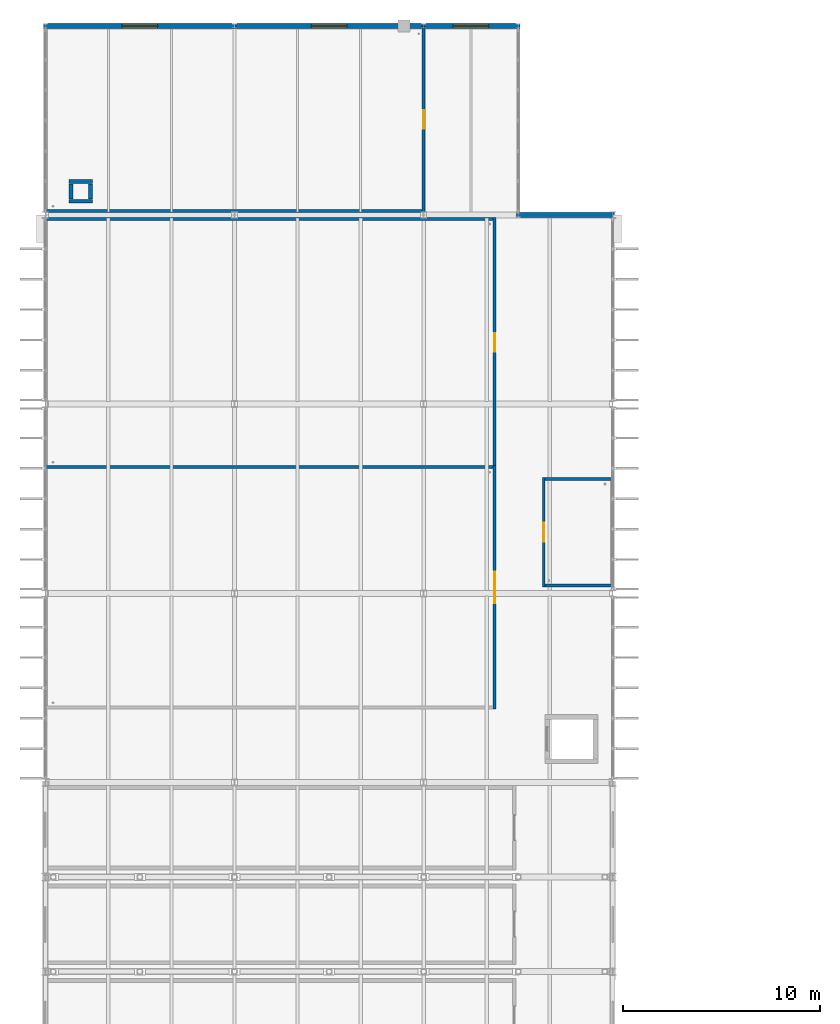
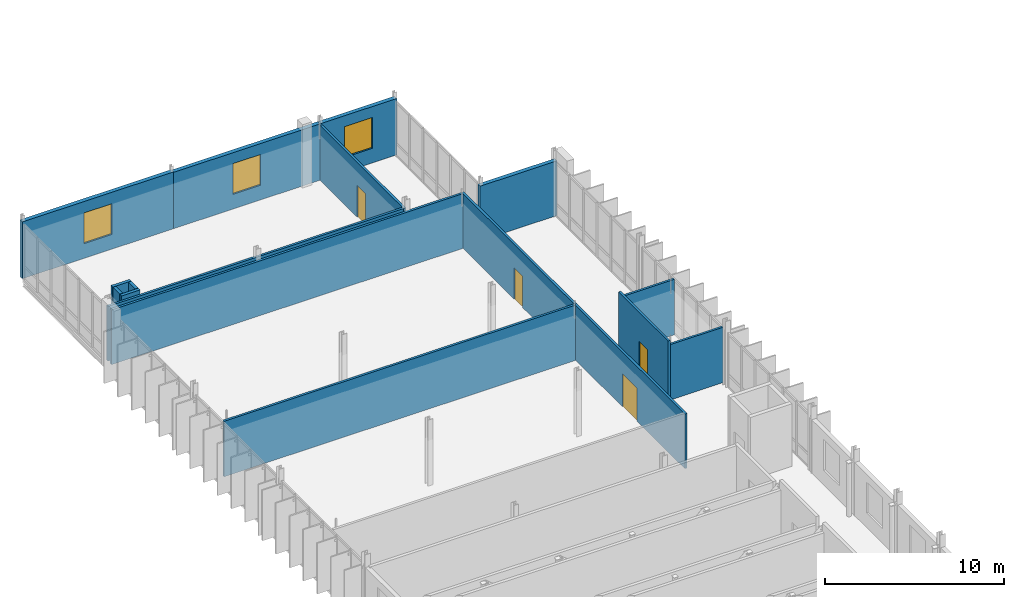
# One storey, part 66 of 110: 17 walls, 4 doors, 3 windows, 7 openings.
"""IFC4 building model written with IfcOpenShell, lengths in metres."""

from ifc_helpers import new_model, si_unit, direction, frame, frame_2d, origin, place, context, subcontext, project, spatial, rectangle, extrude, material, layer, layer_set, type_object, element, fill, save


model = new_model("IFC4")

# Units and contexts
model_context = context("Model", 3, precision=1e-05, world=origin(), true_north=direction((0.0, 1.0)))
body_context = subcontext(model_context, "Body", "Model", "MODEL_VIEW")
ifc_project = project(units=[si_unit("LENGTHUNIT", "METRE"), si_unit("AREAUNIT", "SQUARE_METRE"), si_unit("VOLUMEUNIT", "CUBIC_METRE"), si_unit("PLANEANGLEUNIT", "RADIAN"), si_unit("MASSUNIT", "GRAM", prefix="KILO")], contexts=[model_context])

# Site, building, storey
site_placement = place(None, origin())
site = spatial("IfcSite", under=ifc_project, at=site_placement, CompositionType="ELEMENT")
building_placement = place(site_placement, origin())
building = spatial("IfcBuilding", under=site, at=building_placement, Name="Dunescarp Central Library", CompositionType="ELEMENT")
storey_placement = place(building_placement, frame((0.0, 0.0, 9.60009765625)))
storey = spatial("IfcBuildingStorey", under=building, at=storey_placement, Name="L02", CompositionType="ELEMENT", Elevation=9.60009765625)

# Wall
ifc_material_1 = material(Name="Gypsum plasterboard acoustic partition")
ifc_layer_1 = layer(ifc_material_1, 0.14990234375)
ifc_layer_set_1 = layer_set([ifc_layer_1], Name="Gypsum plasterboard acoustic partition")
wall_type_1 = type_object("IfcWallType", Name="ARC-PT-AC150", PredefinedType="PARTITIONING", material=ifc_layer_set_1)
wall_1_placement = place(storey_placement, frame((0.0400390625, 76.800048828125, 0.0), z_axis=(0.0, 0.0, 1.0), x_axis=(1.0, 0.0, 0.0)))
element("IfcWall", 1, at=wall_1_placement, inside=storey, type_object=wall_type_1, Name="L02 partition PT-L02-0363", PredefinedType="PARTITIONING", context=body_context, shape_type="SweptSolid", body=[
    extrude(rectangle(XDim=22.68505859375, YDim=0.14990234375, at=frame_2d((11.342529296875, 0.0))), origin(), (0.0, 0.0, 1.0), 3.781982421875),
])

# Wall, opening, door
wall_2_placement = place(storey_placement, frame((22.800048828125, 64.52490234375, 0.0), z_axis=(0.0, 0.0, 1.0), x_axis=(0.0, 1.0, 0.0)))
wall_2 = element("IfcWall", 2, at=wall_2_placement, inside=storey, type_object=wall_type_1, Name="L02 partition PT-L02-0364", PredefinedType="PARTITIONING", context=body_context, shape_type="SweptSolid", body=[
    extrude(rectangle(XDim=12.35009765625, YDim=0.14990234375, at=frame_2d((6.175048828125, 0.0))), origin(), (0.0, 0.0, 1.0), 3.73486328125),
])
opening_1_placement = place(wall_2_placement, frame((5.375, 0.0, 0.0)))
opening_1 = element("IfcOpeningElement", 3, at=opening_1_placement, cuts=wall_2, Name="Opening DR-L02-0155", PredefinedType="OPENING", context=body_context, shape_type="SweptSolid", body=[
    extrude(rectangle(XDim=1.60009765625, YDim=2.25, at=frame_2d((0.800048828125, 1.125))), frame((0.0, 0.0849609375, 0.0), z_axis=(0.0, -1.0, 0.0), x_axis=(1.0, 0.0, 0.0)), (0.0, 0.0, 1.0), 0.169921875),
])
ifc_material_2 = material(Name="Marine-grade anodised aluminium 6063-T6", Category="aluminium")
door_type_1 = type_object("IfcDoorType", Name="ARC-DR-DBL1600", OperationType="DOUBLE_DOOR_SINGLE_SWING", PredefinedType="DOOR", material=ifc_material_2)
door_1_placement = place(opening_1_placement, origin())
door_1 = element("IfcDoor", 4, at=door_1_placement, inside=storey, type_object=door_type_1, Name="L02 interior door DR-L02-0155", OperationType="DOUBLE_DOOR_SINGLE_SWING", OverallHeight=2.25, OverallWidth=1.60009765625, PredefinedType="DOOR", context=body_context, shape_type="SweptSolid", body=[
    extrude(rectangle(XDim=1.60009765625, YDim=2.25, at=frame_2d((0.800048828125, 1.125))), frame((0.0, 0.02490234375, 0.0), z_axis=(0.0, -1.0, 0.0), x_axis=(1.0, 0.0, 0.0)), (0.0, 0.0, 1.0), 0.050048828125),
])
fill(opening_1, door_1)

# Wall
wall_3_placement = place(storey_placement, frame((0.0400390625, 89.39990234375, 0.0), z_axis=(0.0, 0.0, 1.0), x_axis=(1.0, 0.0, 0.0)))
element("IfcWall", 5, at=wall_3_placement, inside=storey, type_object=wall_type_1, Name="L02 partition PT-L02-0365", PredefinedType="PARTITIONING", context=body_context, shape_type="SweptSolid", body=[
    extrude(rectangle(XDim=22.68505859375, YDim=0.14990234375, at=frame_2d((11.342529296875, 0.0))), origin(), (0.0, 0.0, 1.0), 3.73486328125),
])

# Wall, opening, door
wall_4_placement = place(storey_placement, frame((22.800048828125, 76.800048828125, 0.0), z_axis=(0.0, 0.0, 1.0), x_axis=(0.0, 1.0, 0.0)))
wall_4 = element("IfcWall", 6, at=wall_4_placement, inside=storey, type_object=wall_type_1, Name="L02 partition PT-L02-0366", PredefinedType="PARTITIONING", context=body_context, shape_type="SweptSolid", body=[
    extrude(rectangle(XDim=12.675048828125, YDim=0.14990234375, at=frame_2d((6.33740234375, 0.0))), origin(), (0.0, 0.0, 1.0), 3.73486328125),
])
opening_2_placement = place(wall_4_placement, frame((5.862060546875, 0.0, 0.0)))
opening_2 = element("IfcOpeningElement", 7, at=opening_2_placement, cuts=wall_4, Name="Opening DR-L02-0156", PredefinedType="OPENING", context=body_context, shape_type="SweptSolid", body=[
    extrude(rectangle(XDim=0.949951171875, YDim=2.14990234375, at=frame_2d((0.47509765625, 1.074951171875))), frame((0.0, 0.0849609375, 0.0), z_axis=(0.0, -1.0, 0.0), x_axis=(1.0, 0.0, 0.0)), (0.0, 0.0, 1.0), 0.169921875),
])
ifc_material_3 = material(Name="Hardwood solid-core timber leaf", Category="wood")
door_type_2 = type_object("IfcDoorType", Name="ARC-DR-INT950", OperationType="NOTDEFINED", PredefinedType="DOOR", material=ifc_material_3)
door_2_placement = place(opening_2_placement, origin())
door_2 = element("IfcDoor", 8, at=door_2_placement, inside=storey, type_object=door_type_2, Name="L02 interior door DR-L02-0156", OperationType="SINGLE_SWING_RIGHT", OverallHeight=2.14990234375, OverallWidth=0.949951171875, PredefinedType="DOOR", context=body_context, shape_type="SweptSolid", body=[
    extrude(rectangle(XDim=0.949951171875, YDim=2.14990234375, at=frame_2d((0.47509765625, 1.074951171875))), frame((0.0, 0.02490234375, 0.0), z_axis=(0.0, -1.0, 0.0), x_axis=(1.0, 0.0, 0.0)), (0.0, 0.0, 1.0), 0.050048828125),
])
fill(opening_2, door_2)

# Wall
wall_5_placement = place(storey_placement, frame((0.0400390625, 89.800048828125, 0.0), z_axis=(0.0, 0.0, 1.0), x_axis=(1.0, 0.0, 0.0)))
element("IfcWall", 9, at=wall_5_placement, inside=storey, type_object=wall_type_1, Name="L02 partition PT-L02-0367", PredefinedType="PARTITIONING", context=body_context, shape_type="SweptSolid", body=[
    extrude(rectangle(XDim=19.0849609375, YDim=0.14990234375, at=frame_2d((9.54248046875, 0.0))), origin(), (0.0, 0.0, 1.0), 3.73486328125),
])

# Wall, opening, door
wall_6_placement = place(storey_placement, frame((19.199951171875, 89.72509765625, 0.0), z_axis=(0.0, 0.0, 1.0), x_axis=(0.0, 1.0, 0.0)))
wall_6 = element("IfcWall", 10, at=wall_6_placement, inside=storey, type_object=wall_type_1, Name="L02 partition PT-L02-0368", PredefinedType="PARTITIONING", context=body_context, shape_type="SweptSolid", body=[
    extrude(rectangle(XDim=9.434814453125, YDim=0.14990234375, at=frame_2d((4.71728515625, 0.0))), origin(), (0.0, 0.0, 1.0), 3.73486328125),
])
opening_3_placement = place(wall_6_placement, frame((4.242919921875, 0.0, 0.0)))
opening_3 = element("IfcOpeningElement", 11, at=opening_3_placement, cuts=wall_6, Name="Opening DR-L02-0157", PredefinedType="OPENING", context=body_context, shape_type="SweptSolid", body=[
    extrude(rectangle(XDim=0.949951171875, YDim=2.14990234375, at=frame_2d((0.47509765625, 1.074951171875))), frame((0.0, 0.0849609375, 0.0), z_axis=(0.0, -1.0, 0.0), x_axis=(1.0, 0.0, 0.0)), (0.0, 0.0, 1.0), 0.169921875),
])
door_3_placement = place(opening_3_placement, origin())
door_3 = element("IfcDoor", 12, at=door_3_placement, inside=storey, type_object=door_type_2, Name="L02 interior door DR-L02-0157", OperationType="SINGLE_SWING_LEFT", OverallHeight=2.14990234375, OverallWidth=0.949951171875, PredefinedType="DOOR", context=body_context, shape_type="SweptSolid", body=[
    extrude(rectangle(XDim=0.949951171875, YDim=2.14990234375, at=frame_2d((0.47509765625, 1.074951171875))), frame((0.0, 0.02490234375, 0.0), z_axis=(0.0, -1.0, 0.0), x_axis=(1.0, 0.0, 0.0)), (0.0, 0.0, 1.0), 0.050048828125),
])
fill(opening_3, door_3)

# Walls
ifc_material_4 = material(Name="Autoclaved aerated concrete block", Category="concrete")
ifc_layer_2 = layer(ifc_material_4, 0.139892578125)
ifc_layer_set_2 = layer_set([ifc_layer_2], Name="Autoclaved aerated concrete block")
wall_type_2 = type_object("IfcWallType", Name="ARC-PT-WET140", PredefinedType="PARTITIONING", material=ifc_layer_set_2)
for number, where, z_axis, x_axis, name in (
    (13, (25.3701171875, 70.800048828125, 0.0), (0.0, 0.0, 1.0), (1.0, 0.0, 0.0), "L02 partition PT-L02-0348"),
    (14, (25.3701171875, 76.199951171875, 0.0), (0.0, 0.0, 1.0), (1.0, 0.0, 0.0), "L02 partition PT-L02-0349"),
):
    element("IfcWall", number, at=place(storey_placement, frame(where, z_axis=z_axis, x_axis=x_axis)), inside=storey, type_object=wall_type_2, Name=name, PredefinedType="PARTITIONING", context=body_context, shape_type="SweptSolid", body=[
        extrude(rectangle(XDim=3.389892578125, YDim=0.139892578125, at=frame_2d((1.69482421875, 0.0))), origin(), (0.0, 0.0, 1.0), 3.781982421875),
    ])

# Wall, opening, door
wall_7_placement = place(storey_placement, frame((25.300048828125, 70.72998046875, 0.0), z_axis=(0.0, 0.0, 1.0), x_axis=(0.0, 1.0, 0.0)))
wall_7 = element("IfcWall", 15, at=wall_7_placement, inside=storey, type_object=wall_type_2, Name="L02 partition PT-L02-0350", PredefinedType="PARTITIONING", context=body_context, shape_type="SweptSolid", body=[
    extrude(rectangle(XDim=5.5400390625, YDim=0.139892578125, at=frame_2d((2.77001953125, 0.0))), origin(), (0.0, 0.0, 1.0), 4.074951171875),
])
opening_4_placement = place(wall_7_placement, frame((2.294921875, 0.0, 0.0)))
opening_4 = element("IfcOpeningElement", 16, at=opening_4_placement, cuts=wall_7, Name="Opening DR-L02-0150", PredefinedType="OPENING", context=body_context, shape_type="SweptSolid", body=[
    extrude(rectangle(XDim=0.949951171875, YDim=2.10009765625, at=frame_2d((0.47509765625, 1.050048828125))), frame((0.0, 0.080078125, 0.0), z_axis=(0.0, -1.0, 0.0), x_axis=(1.0, 0.0, 0.0)), (0.0, 0.0, 1.0), 0.159912109375),
])
door_type_3 = type_object("IfcDoorType", Name="ARC-DR-WC950", OperationType="NOTDEFINED", PredefinedType="DOOR", material=ifc_material_3)
door_4_placement = place(opening_4_placement, origin())
door_4 = element("IfcDoor", 17, at=door_4_placement, inside=storey, type_object=door_type_3, Name="L02 interior door DR-L02-0150", OperationType="SINGLE_SWING_LEFT", OverallHeight=2.10009765625, OverallWidth=0.949951171875, PredefinedType="DOOR", context=body_context, shape_type="SweptSolid", body=[
    extrude(rectangle(XDim=0.949951171875, YDim=2.10009765625, at=frame_2d((0.47509765625, 1.050048828125))), frame((0.0, 0.02490234375, 0.0), z_axis=(0.0, -1.0, 0.0), x_axis=(1.0, 0.0, 0.0)), (0.0, 0.0, 1.0), 0.050048828125),
])
fill(opening_4, door_4)

# Wall
ifc_material_5 = material(Name="Glass-fibre reinforced concrete GRC", Category="concrete")
ifc_layer_3 = layer(ifc_material_5, 0.260009765625)
ifc_layer_set_3 = layer_set([ifc_layer_3], Name="Glass-fibre reinforced concrete GRC")
wall_type_3 = type_object("IfcWallType", Name="ARC-WL-GRC260", PredefinedType="SOLIDWALL", material=ifc_layer_set_3)
wall_8_placement = place(storey_placement, frame((23.9150390625, 89.60009765625, 0.0), z_axis=(0.0, 0.0, 1.0), x_axis=(1.0, 0.0, 0.0)))
element("IfcWall", 18, at=wall_8_placement, inside=storey, type_object=wall_type_3, Name="L02 external wall EW-V4-136", PredefinedType="SOLIDWALL", context=body_context, shape_type="SweptSolid", body=[
    extrude(rectangle(XDim=4.969970703125, YDim=0.260009765625, at=frame_2d((2.48486328125, 0.0))), origin(), (0.0, 0.0, 1.0), 3.73486328125),
])

# Wall, opening, window
wall_9_placement = place(storey_placement, frame((-0.0849609375, 99.199951171875, 0.0), z_axis=(0.0, 0.0, 1.0), x_axis=(1.0, 0.0, 0.0)))
wall_9 = element("IfcWall", 19, at=wall_9_placement, inside=storey, type_object=wall_type_3, Name="L02 external wall EW-V4N-154", PredefinedType="SOLIDWALL", context=body_context, shape_type="SweptSolid", body=[
    extrude(rectangle(XDim=9.77001953125, YDim=0.260009765625, at=frame_2d((4.885009765625, 0.0))), origin(), (0.0, 0.0, 1.0), 3.87890625),
])
opening_5_placement = place(wall_9_placement, frame((3.985107421875, 0.0, 1.0)))
opening_5 = element("IfcOpeningElement", 20, at=opening_5_placement, cuts=wall_9, Name="Opening WN-051", PredefinedType="OPENING", context=body_context, shape_type="SweptSolid", body=[
    extrude(rectangle(XDim=1.800048828125, YDim=2.10009765625, at=frame_2d((0.89990234375, 1.050048828125))), frame((0.0, 0.14013671875, 0.0), z_axis=(0.0, -1.0, 0.0), x_axis=(1.0, 0.0, 0.0)), (0.0, 0.0, 1.0), 0.280029296875),
])
ifc_material_6 = material(Name="Solar-control laminated double glazing", Category="glass")
window_type = type_object("IfcWindowType", Name="ARC-WN-1800X2100", PartitioningType="SINGLE_PANEL", PredefinedType="WINDOW", material=ifc_material_6)
window_1_placement = place(opening_5_placement, origin())
window_1 = element("IfcWindow", 21, at=window_1_placement, inside=storey, type_object=window_type, Name="L02 window WN-051", OverallHeight=2.10009765625, OverallWidth=1.800048828125, PartitioningType="SINGLE_PANEL", PredefinedType="WINDOW", context=body_context, shape_type="SweptSolid", body=[
    extrude(rectangle(XDim=1.800048828125, YDim=2.10009765625, at=frame_2d((0.89990234375, 1.050048828125))), frame((0.0, 0.030029296875, 0.0), z_axis=(0.0, -1.0, 0.0), x_axis=(1.0, 0.0, 0.0)), (0.0, 0.0, 1.0), 0.06005859375),
])
fill(opening_5, window_1)

wall_10_placement = place(storey_placement, frame((9.514892578125, 99.199951171875, 0.0), z_axis=(0.0, 0.0, 1.0), x_axis=(1.0, 0.0, 0.0)))
wall_10 = element("IfcWall", 22, at=wall_10_placement, inside=storey, type_object=wall_type_3, Name="L02 external wall EW-V4N-155", PredefinedType="SOLIDWALL", context=body_context, shape_type="SweptSolid", body=[
    extrude(rectangle(XDim=9.77001953125, YDim=0.260009765625, at=frame_2d((4.885009765625, 0.0))), origin(), (0.0, 0.0, 1.0), 3.844970703125),
])
opening_6_placement = place(wall_10_placement, frame((3.985107421875, 0.0, 1.0)))
opening_6 = element("IfcOpeningElement", 23, at=opening_6_placement, cuts=wall_10, Name="Opening WN-052", PredefinedType="OPENING", context=body_context, shape_type="SweptSolid", body=[
    extrude(rectangle(XDim=1.800048828125, YDim=2.10009765625, at=frame_2d((0.89990234375, 1.050048828125))), frame((0.0, 0.14013671875, 0.0), z_axis=(0.0, -1.0, 0.0), x_axis=(1.0, 0.0, 0.0)), (0.0, 0.0, 1.0), 0.280029296875),
])
window_2_placement = place(opening_6_placement, origin())
window_2 = element("IfcWindow", 24, at=window_2_placement, inside=storey, type_object=window_type, Name="L02 window WN-052", OverallHeight=2.10009765625, OverallWidth=1.800048828125, PartitioningType="SINGLE_PANEL", PredefinedType="WINDOW", context=body_context, shape_type="SweptSolid", body=[
    extrude(rectangle(XDim=1.800048828125, YDim=2.10009765625, at=frame_2d((0.89990234375, 1.050048828125))), frame((0.0, 0.030029296875, 0.0), z_axis=(0.0, -1.0, 0.0), x_axis=(1.0, 0.0, 0.0)), (0.0, 0.0, 1.0), 0.06005859375),
])
fill(opening_6, window_2)

wall_11_placement = place(storey_placement, frame((19.114990234375, 99.199951171875, 0.0), z_axis=(0.0, 0.0, 1.0), x_axis=(1.0, 0.0, 0.0)))
wall_11 = element("IfcWall", 25, at=wall_11_placement, inside=storey, type_object=wall_type_3, Name="L02 external wall EW-V4N-156", PredefinedType="SOLIDWALL", context=body_context, shape_type="SweptSolid", body=[
    extrude(rectangle(XDim=4.969970703125, YDim=0.260009765625, at=frame_2d((2.48486328125, 0.0))), origin(), (0.0, 0.0, 1.0), 3.844970703125),
])
opening_7_placement = place(wall_11_placement, frame((1.5849609375, 0.0, 1.0)))
opening_7 = element("IfcOpeningElement", 26, at=opening_7_placement, cuts=wall_11, Name="Opening WN-053", PredefinedType="OPENING", context=body_context, shape_type="SweptSolid", body=[
    extrude(rectangle(XDim=1.800048828125, YDim=2.10009765625, at=frame_2d((0.89990234375, 1.050048828125))), frame((0.0, 0.14013671875, 0.0), z_axis=(0.0, -1.0, 0.0), x_axis=(1.0, 0.0, 0.0)), (0.0, 0.0, 1.0), 0.280029296875),
])
window_3_placement = place(opening_7_placement, origin())
window_3 = element("IfcWindow", 27, at=window_3_placement, inside=storey, type_object=window_type, Name="L02 window WN-053", OverallHeight=2.10009765625, OverallWidth=1.800048828125, PartitioningType="SINGLE_PANEL", PredefinedType="WINDOW", context=body_context, shape_type="SweptSolid", body=[
    extrude(rectangle(XDim=1.800048828125, YDim=2.10009765625, at=frame_2d((0.89990234375, 1.050048828125))), frame((0.0, 0.030029296875, 0.0), z_axis=(0.0, -1.0, 0.0), x_axis=(1.0, 0.0, 0.0)), (0.0, 0.0, 1.0), 0.06005859375),
])
fill(opening_7, window_3)

# Walls
ifc_material_7 = material(Name="Concrete C35/45", Category="concrete")
ifc_layer_4 = layer(ifc_material_7, 0.199951171875)
ifc_layer_set_4 = layer_set([ifc_layer_4], Name="Concrete C35/45")
wall_type_4 = type_object("IfcWallType", Name="ARC-WL-RISER200", PredefinedType="PARTITIONING", material=ifc_layer_set_4)
for number, where, z_axis, x_axis, name in (
    (28, (2.39990234375, 90.300048828125, 0.0), (0.0, 0.0, 1.0), (-1.0, 0.0, 0.0), "L02 V4N duct shaft wall S"),
    (29, (1.199951171875, 91.300048828125, 0.0), (0.0, 0.0, 1.0), (1.0, 0.0, 0.0), "L02 V4N duct shaft wall N"),
):
    element("IfcWall", number, at=place(storey_placement, frame(where, z_axis=z_axis, x_axis=x_axis)), inside=storey, type_object=wall_type_4, Name=name, PredefinedType="PARTITIONING", context=body_context, shape_type="SweptSolid", body=[
        extrude(rectangle(XDim=1.199951171875, YDim=0.199951171875, at=frame_2d((0.60009765625, 0.0))), origin(), (0.0, 0.0, 1.0), 3.7548828125),
    ])
for number, where, z_axis, x_axis, name in (
    (30, (1.300048828125, 90.419921875, 0.0), (0.0, 0.0, 1.0), (0.0, 1.0, 0.0), "L02 V4N duct shaft wall W"),
    (31, (2.300048828125, 91.179931640625, 0.0), (0.0, 0.0, 1.0), (0.0, -1.0, 0.0), "L02 V4N duct shaft wall E"),
):
    element("IfcWall", number, at=place(storey_placement, frame(where, z_axis=z_axis, x_axis=x_axis)), inside=storey, type_object=wall_type_4, Name=name, PredefinedType="PARTITIONING", context=body_context, shape_type="SweptSolid", body=[
        extrude(rectangle(XDim=0.760009765625, YDim=0.199951171875, at=frame_2d((0.3798828125, 0.0))), origin(), (0.0, 0.0, 1.0), 3.7548828125),
    ])

save(model, "model.ifc")
